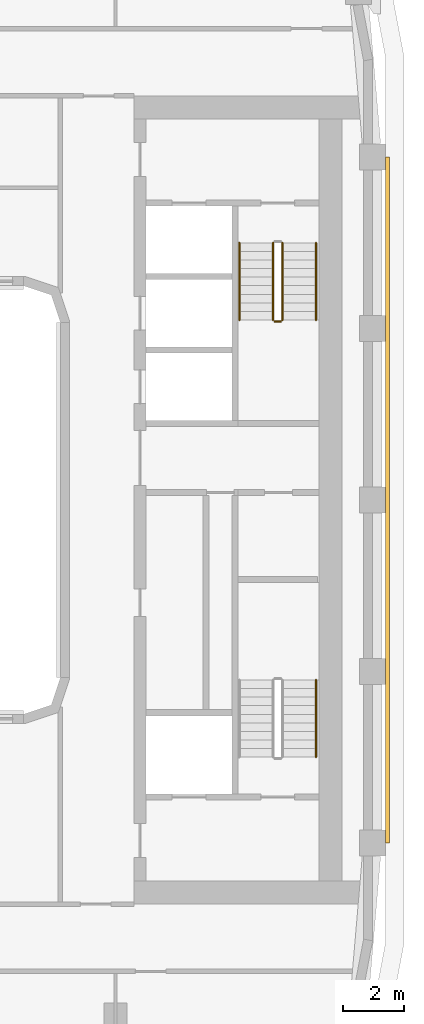
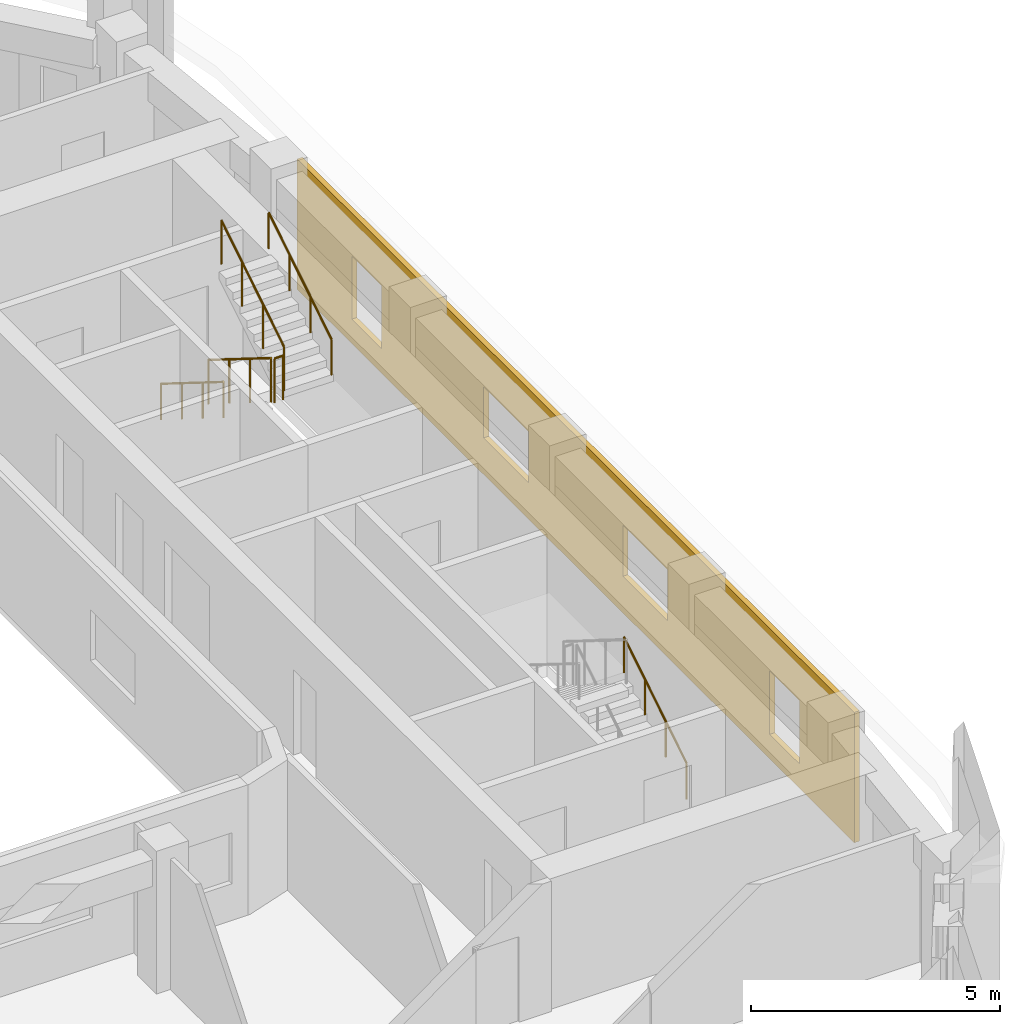
# One storey, part 18 of 21: 6 railings, 1 covering.
"""IFC4 building model written with IfcOpenShell, lengths in metres."""

from ifc_helpers import new_model, si_unit, direction, frame, origin, origin_2d, place, context, subcontext, project, spatial, polyline, circle, outline, extrude, material, layer, layer_set, type_object, element, save


model = new_model("IFC4")

# Units and contexts
model_context = context("Model", 3, precision=1e-05, world=origin(), true_north=direction((0.0, 1.0)))
body_context = subcontext(model_context, "Body", "Model", "MODEL_VIEW")
ifc_project = project(units=[si_unit("LENGTHUNIT", "METRE"), si_unit("AREAUNIT", "SQUARE_METRE"), si_unit("VOLUMEUNIT", "CUBIC_METRE"), si_unit("PLANEANGLEUNIT", "RADIAN"), si_unit("MASSUNIT", "GRAM", prefix="KILO")], contexts=[model_context])

# Site, building, storey
site_placement = place(None, origin())
site = spatial("IfcSite", under=ifc_project, at=site_placement, CompositionType="ELEMENT")
building_placement = place(site_placement, origin())
building = spatial("IfcBuilding", under=site, at=building_placement, Name="Kiln Ring Residences", CompositionType="ELEMENT")
storey_placement = place(building_placement, frame((0.0, 0.0, 213.39990234375)))
storey = spatial("IfcBuildingStorey", under=building, at=storey_placement, Name="L55", CompositionType="ELEMENT", Elevation=213.39990234375)

# Railings
ifc_material_1 = material(Name="Stainless steel", Category="steel")
railing_type_1 = type_object("IfcRailingType", Name="CORE-STAIR-GUARD", PredefinedType="GUARDRAIL", material=ifc_material_1)
railing_1_placement = place(storey_placement, frame((21.949951171875, 8.39990234375, 0.175048828125)))
element("IfcRailing", 1, at=railing_1_placement, inside=storey, type_object=railing_type_1, Name="L55 E-STN stair guard 1", PredefinedType="GUARDRAIL", context=body_context, shape_type="SweptSolid", body=[
    extrude(circle(Radius=0.02392578125, at=origin_2d()), frame((0.0, 0.0, 1.076171875), z_axis=(0.0, -0.848007534815, 0.529984170421), x_axis=(1.0, 0.0, 0.0)), (0.0, 0.0, 1.0), 2.9716796875),
    extrude(circle(Radius=0.02099609375, at=origin_2d()), origin(), (0.0, 0.0, 1.0), 1.052001953125),
    extrude(circle(Radius=0.02099609375, at=origin_2d()), frame((0.0, -0.840087890625, 0.52490234375)), (0.0, 0.0, 1.0), 1.052001953125),
    extrude(circle(Radius=0.02099609375, at=origin_2d()), frame((0.0, -1.679931640625, 1.050048828125)), (0.0, 0.0, 1.0), 1.052001953125),
    extrude(circle(Radius=0.02099609375, at=origin_2d()), frame((0.0, -2.52001953125, 1.574951171875)), (0.0, 0.0, 1.0), 1.052001953125),
])
railing_2_placement = place(storey_placement, frame((22.0, 5.830078125, 1.75)))
element("IfcRailing", 2, at=railing_2_placement, inside=storey, type_object=railing_type_1, Name="L55 E-STN stair guard 2", PredefinedType="GUARDRAIL", context=body_context, shape_type="SweptSolid", body=[
    extrude(circle(Radius=0.02392578125, at=origin_2d()), frame((0.0, 0.0, 1.076171875), z_axis=(1.0, 0.0, 0.0), x_axis=(0.0, 1.0, 0.0)), (0.0, 0.0, 1.0), 0.199951171875),
    extrude(circle(Radius=0.02099609375, at=origin_2d()), origin(), (0.0, 0.0, 1.0), 1.052001953125),
    extrude(circle(Radius=0.02099609375, at=origin_2d()), frame((0.199951171875, 0.0, 0.0)), (0.0, 0.0, 1.0), 1.052001953125),
])
railing_3_placement = place(storey_placement, frame((22.25, 5.8798828125, 1.925048828125)))
element("IfcRailing", 3, at=railing_3_placement, inside=storey, type_object=railing_type_1, Name="L55 E-STN stair guard 3", PredefinedType="GUARDRAIL", context=body_context, shape_type="SweptSolid", body=[
    extrude(circle(Radius=0.02392578125, at=origin_2d()), frame((0.0, 0.0, 1.076171875), z_axis=(0.0, 0.848007534815, 0.529984170421), x_axis=(-1.0, 0.0, 0.0)), (0.0, 0.0, 1.0), 2.9716796875),
    extrude(circle(Radius=0.02099609375, at=origin_2d()), origin(), (0.0, 0.0, 1.0), 1.052001953125),
    extrude(circle(Radius=0.02099609375, at=origin_2d()), frame((0.0, 0.840087890625, 0.52490234375)), (0.0, 0.0, 1.0), 1.052001953125),
    extrude(circle(Radius=0.02099609375, at=origin_2d()), frame((0.0, 1.679931640625, 1.050048828125)), (0.0, 0.0, 1.0), 1.052001953125),
    extrude(circle(Radius=0.02099609375, at=origin_2d()), frame((0.0, 2.52001953125, 1.574951171875)), (0.0, 0.0, 1.0), 1.052001953125),
])
ifc_material_2 = material(Name="Stainless steel", Category="steel")
railing_type_2 = type_object("IfcRailingType", Name="CORE-STAIR-HANDRAIL", PredefinedType="HANDRAIL", material=ifc_material_2)
railing_4_placement = place(storey_placement, frame((20.85009765625, 8.39990234375, 0.175048828125)))
element("IfcRailing", 4, at=railing_4_placement, inside=storey, type_object=railing_type_2, Name="L55 E-STN stair handrail 1", PredefinedType="HANDRAIL", context=body_context, shape_type="SweptSolid", body=[
    extrude(circle(Radius=0.02392578125, at=origin_2d()), frame((0.0, 0.0, 0.8759765625), z_axis=(0.0, -0.848007534815, 0.529984170421), x_axis=(1.0, 0.0, 0.0)), (0.0, 0.0, 1.0), 2.9716796875),
    extrude(circle(Radius=0.02099609375, at=origin_2d()), origin(), (0.0, 0.0, 1.0), 0.851806640625),
    extrude(circle(Radius=0.02099609375, at=origin_2d()), frame((0.0, -0.840087890625, 0.52490234375)), (0.0, 0.0, 1.0), 0.851806640625),
    extrude(circle(Radius=0.02099609375, at=origin_2d()), frame((0.0, -1.679931640625, 1.050048828125)), (0.0, 0.0, 1.0), 0.851806640625),
    extrude(circle(Radius=0.02099609375, at=origin_2d()), frame((0.0, -2.52001953125, 1.574951171875)), (0.0, 0.0, 1.0), 0.851806640625),
])
for number, where, name in (
    (5, (23.35009765625, 5.8798828125, 1.925048828125), "L55 E-STN stair handrail 2"),
    (6, (23.35009765625, -8.39990234375, 0.175048828125), "L55 E-STS stair handrail 1"),
):
    element("IfcRailing", number, at=place(storey_placement, frame(where)), inside=storey, type_object=railing_type_2, Name=name, PredefinedType="HANDRAIL", context=body_context, shape_type="SweptSolid", body=[
        extrude(circle(Radius=0.02392578125, at=origin_2d()), frame((0.0, 0.0, 0.8759765625), z_axis=(0.0, 0.848007534815, 0.529984170421), x_axis=(-1.0, 0.0, 0.0)), (0.0, 0.0, 1.0), 2.9716796875),
        extrude(circle(Radius=0.02099609375, at=origin_2d()), origin(), (0.0, 0.0, 1.0), 0.851806640625),
        extrude(circle(Radius=0.02099609375, at=origin_2d()), frame((0.0, 0.840087890625, 0.52490234375)), (0.0, 0.0, 1.0), 0.851806640625),
        extrude(circle(Radius=0.02099609375, at=origin_2d()), frame((0.0, 1.679931640625, 1.050048828125)), (0.0, 0.0, 1.0), 0.851806640625),
        extrude(circle(Radius=0.02099609375, at=origin_2d()), frame((0.0, 2.52001953125, 1.574951171875)), (0.0, 0.0, 1.0), 0.851806640625),
    ])

# Covering
ifc_material_3 = material(Name="Brick masonry, dark clay brick", Category="masonry")
ifc_layer = layer(ifc_material_3, 0.1201171875)
ifc_layer_set = layer_set([ifc_layer], Name="RAINSCREEN PANEL 120")
covering_type = type_object("IfcCoveringType", Name="RAINSCREEN PANEL 120", PredefinedType="CLADDING", material=ifc_layer_set)
covering_placement = place(storey_placement, frame((25.68505859375, -11.199951171875, 0.0), z_axis=(0.0, 0.0, 1.0), x_axis=(0.0, 1.0, 0.0)))
element("IfcCovering", 7, at=covering_placement, inside=storey, type_object=covering_type, Name="RAINSCREEN L55", PredefinedType="CLADDING", context=body_context, shape_type="SweptSolid", body=[
    extrude(outline(polyline([(0.0, 0.0), (22.39990234375, 0.0), (22.39990234375, 3.2001953125), (0.0, 3.2001953125), (0.0, 0.0)]), holes=[polyline([(3.39990234375, 0.60009765625), (3.39990234375, 2.150146484375), (2.199951171875, 2.150146484375), (2.199951171875, 0.60009765625), (3.39990234375, 0.60009765625)]), polyline([(20.199951171875, 0.60009765625), (20.199951171875, 2.150146484375), (19.0, 2.150146484375), (19.0, 0.60009765625), (20.199951171875, 0.60009765625)]), polyline([(9.300048828125, 0.900146484375), (9.300048828125, 2.150146484375), (7.5, 2.150146484375), (7.5, 0.900146484375), (9.300048828125, 0.900146484375)]), polyline([(14.89990234375, 0.900146484375), (14.89990234375, 2.150146484375), (13.10009765625, 2.150146484375), (13.10009765625, 0.900146484375), (14.89990234375, 0.900146484375)])]), frame((0.0, 0.06005859375, 0.0), z_axis=(0.0, -1.0, 0.0), x_axis=(1.0, 0.0, 0.0)), (0.0, 0.0, 1.0), 0.1201171875),
])

save(model, "model.ifc")
